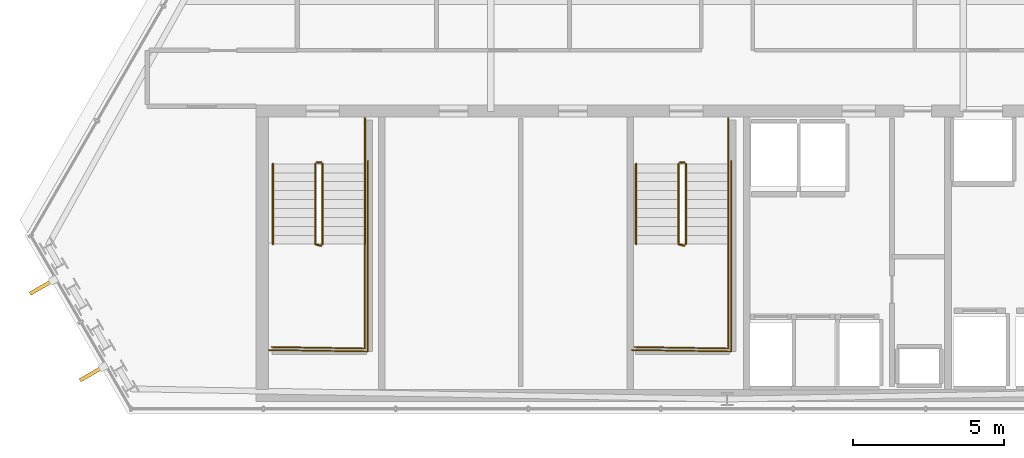
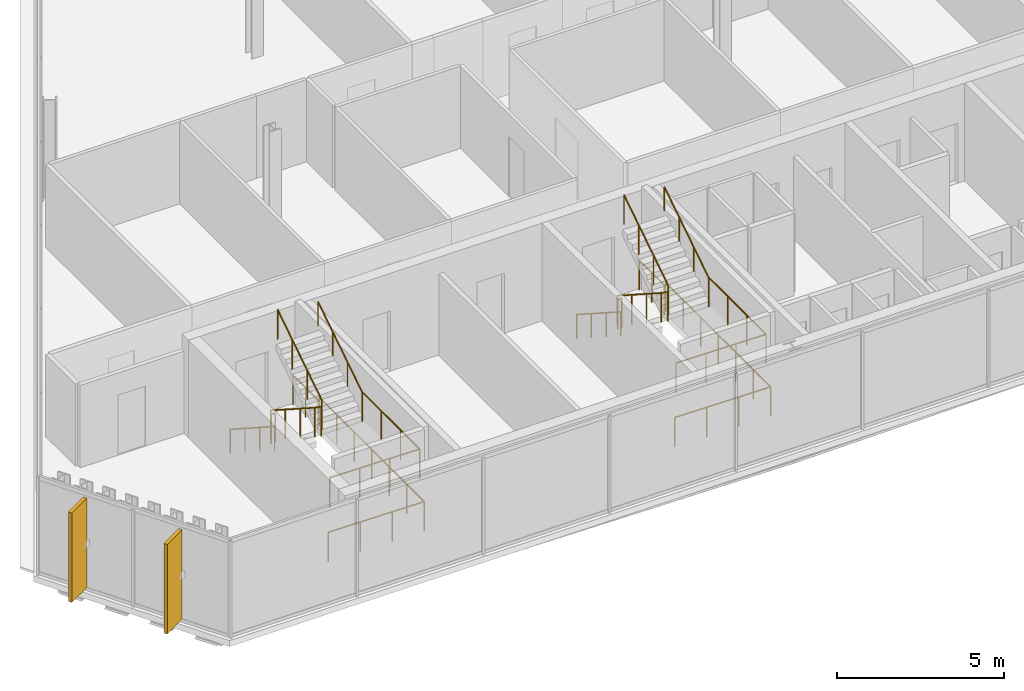
# One storey, part 27 of 29: 16 railings, 2 shading devices.
"""IFC4 building model written with IfcOpenShell, lengths in metres."""

import ifcopenshell
import ifcopenshell.guid

model = None  # the IFC model being written
_history = None  # IfcOwnerHistory: only IFC2X3 demands one
_inside = {}  # id of a spatial element -> (the spatial element, [elements in it])
_under = {}  # id of a project, library or spatial element -> (it, [spatial elements below it])
_declared = {}  # id of a project -> (the project, [libraries it declares])
_typed = {}  # id of a type object -> (the type object, [elements of that type])
_made_of = {}  # id of a material, layer set ... -> (it, [elements and type objects made of it])


def new_model(schema):
    """Start an empty IFC model of exactly this schema.

    Asked for "IFC4X3", IfcOpenShell would pick the latest addendum, in which some entities
    have other attributes; the version numbers below select the first issue.
    IFC2X3 requires an IfcOwnerHistory on every rooted entity: one is made here for all.
    """
    global model, _history
    if schema == "IFC4X3":
        model = ifcopenshell.file(schema_version=(4, 3, 0, 0))
    else:
        model = ifcopenshell.file(schema=schema)
    _inside.clear()
    _under.clear()
    _declared.clear()
    _typed.clear()
    _made_of.clear()
    _history = None
    if model.schema == "IFC2X3":
        org = make("IfcOrganization", Name="unknown")
        user = make(
            "IfcPersonAndOrganization",
            ThePerson=make("IfcPerson", FamilyName="unknown"),
            TheOrganization=org,
        )
        app = make(
            "IfcApplication",
            ApplicationDeveloper=org,
            Version="unknown",
            ApplicationFullName="unknown",
            ApplicationIdentifier="unknown",
        )
        _history = make(
            "IfcOwnerHistory",
            OwningUser=user,
            OwningApplication=app,
            ChangeAction="ADDED",
            CreationDate=0,
        )
    return model


def make(cls, **values):
    """One entity of the class cls with the attributes given. An attribute that is None is left unset."""
    return model.create_entity(
        cls, **{name: value for name, value in values.items() if value is not None}
    )


def rooted(cls, **values):
    """An entity with a GlobalId (a new one), such as an element, a storey or a relation."""
    return make(cls, GlobalId=ifcopenshell.guid.new(), OwnerHistory=_history, **values)


def si_unit(unit_type, name, prefix=None):
    """IfcSIUnit, for example si_unit("LENGTHUNIT", "METRE", prefix="MILLI")."""
    return make("IfcSIUnit", UnitType=unit_type, Prefix=prefix, Name=name)


def assignment(units):
    """IfcUnitAssignment: the units of a project."""
    return None if units is None else make("IfcUnitAssignment", Units=units)


def point(xyz):
    """IfcCartesianPoint."""
    return None if xyz is None else make("IfcCartesianPoint", Coordinates=xyz)


def direction(xyz):
    """IfcDirection."""
    return None if xyz is None else make("IfcDirection", DirectionRatios=xyz)


def frame(location, z_axis=None, x_axis=None):
    """IfcAxis2Placement3D, a coordinate frame: its origin and axes. An axis left out is left unset."""
    return make(
        "IfcAxis2Placement3D",
        Location=point(location),
        Axis=direction(z_axis),
        RefDirection=direction(x_axis),
    )


def frame_2d(location, x_axis=None):
    """IfcAxis2Placement2D, a coordinate frame in the plane: its origin and x axis."""
    return make(
        "IfcAxis2Placement2D", Location=point(location), RefDirection=direction(x_axis)
    )


def origin():
    """The frame at (0, 0, 0) with its axes left unset."""
    return frame((0.0, 0.0, 0.0))


def origin_2d():
    """The frame at (0, 0) in the plane with its x axis left unset."""
    return frame_2d((0.0, 0.0))


def place(relative_to, where):
    """IfcLocalPlacement: puts the frame where relative to a parent placement (None: the world)."""
    return make(
        "IfcLocalPlacement", PlacementRelTo=relative_to, RelativePlacement=where
    )


def context(
    kind, dimensions, precision=None, world=None, true_north=None, identifier=None
):
    """IfcGeometricRepresentationContext, for example the 3D "Model" context."""
    return make(
        "IfcGeometricRepresentationContext",
        ContextIdentifier=identifier,
        ContextType=kind,
        CoordinateSpaceDimension=dimensions,
        Precision=precision,
        WorldCoordinateSystem=world,
        TrueNorth=true_north,
    )


def subcontext(parent, identifier, kind, view, scale=None):
    """IfcGeometricRepresentationSubContext, for example "Body" below "Model"."""
    return make(
        "IfcGeometricRepresentationSubContext",
        ContextIdentifier=identifier,
        ContextType=kind,
        ParentContext=parent,
        TargetScale=scale,
        TargetView=view,
    )


def project(units=None, contexts=None):
    """IfcProject with its units and contexts."""
    return rooted(
        "IfcProject",
        Name="project",
        RepresentationContexts=contexts,
        UnitsInContext=assignment(units),
    )


def spatial(cls, under=None, at=None, **own):
    """A site, building, storey or space (cls), placed at a placement, below another one or the project."""
    s = rooted(cls, ObjectPlacement=at, **own)
    if under is not None:
        _under.setdefault(under.id(), (under, []))[1].append(s)
    return s


def profile(cls, at=None, kind="AREA", **sizes):
    """A parametric profile (cls). Its sizes go by their IFC names, for example OverallWidth=200.0."""
    return make(cls, ProfileType=kind, Position=at, **sizes)


def rectangle(**sizes):
    """IfcRectangleProfileDef."""
    return profile("IfcRectangleProfileDef", **sizes)


def circle(**sizes):
    """IfcCircleProfileDef."""
    return profile("IfcCircleProfileDef", **sizes)


def extrude(swept, where, along, depth):
    """IfcExtrudedAreaSolid: the profile swept, set in the frame where, extruded along a direction by depth."""
    return make(
        "IfcExtrudedAreaSolid",
        SweptArea=swept,
        Position=where,
        ExtrudedDirection=direction(along),
        Depth=depth,
    )


def shape(context_of_items, identifier, shape_type, items):
    """IfcShapeRepresentation: the items that make up one representation, for example the "Body"."""
    return make(
        "IfcShapeRepresentation",
        ContextOfItems=context_of_items,
        RepresentationIdentifier=identifier,
        RepresentationType=shape_type,
        Items=items,
    )


def material(Name=None, Category=None):
    """IfcMaterial."""
    return make("IfcMaterial", Name=Name, Category=Category)


def layer(
    of_material, thickness, ventilated=None, Name=None, Category=None, Priority=None
):
    """IfcMaterialLayer: one layer of a wall or slab, of a material (None: an air gap)."""
    return make(
        "IfcMaterialLayer",
        Material=of_material,
        LayerThickness=thickness,
        IsVentilated=ventilated,
        Name=Name,
        Category=Category,
        Priority=Priority,
    )


def layer_set(layers, Name=None):
    """IfcMaterialLayerSet."""
    return make("IfcMaterialLayerSet", MaterialLayers=layers, LayerSetName=Name)


def made_of(thing, what):
    """Note that an element or type object is made of a material, layer set ...; save() writes the relation."""
    if what is not None:
        _made_of.setdefault(what.id(), (what, []))[1].append(thing)
    return thing


def type_object(cls, material=None, **own):
    """A type object (cls), such as IfcWallType, which elements share."""
    return made_of(rooted(cls, **own), material)


def element(
    cls,
    number,
    at=None,
    inside=None,
    cuts=None,
    type_object=None,
    material=None,
    context=None,
    identifier="Body",
    shape_type=None,
    held_by="IfcProductDefinitionShape",
    body=None,
    shapes=None,
    **own,
):
    """One element of the class cls, such as IfcWall. Its Tag is "e" and its number.

    at: its placement. inside: the storey or other place that contains it. cuts: it is an
    opening in that element (IfcRelVoidsElement). A single representation is given by context,
    identifier, shape_type and body (its items); several are given by shapes. held_by: the class
    of the entity that holds the representations. save() writes the other relations.
    """
    e = rooted(cls, Tag="e%d" % number, ObjectPlacement=at, **own)
    if body is not None:
        shapes = [shape(context, identifier, shape_type, body)]
    if shapes is not None:
        e.Representation = make(held_by, Representations=shapes)
    if inside is not None:
        _inside.setdefault(inside.id(), (inside, []))[1].append(e)
    if cuts is not None:
        rooted(
            "IfcRelVoidsElement", RelatingBuildingElement=cuts, RelatedOpeningElement=e
        )
    if type_object is not None:
        _typed.setdefault(type_object.id(), (type_object, []))[1].append(e)
    return made_of(e, material)


def aggregate(whole, parts):
    """IfcRelAggregates: a whole, such as a stair, and the parts it consists of."""
    return rooted("IfcRelAggregates", RelatingObject=whole, RelatedObjects=parts)


def save(model, path):
    """Write the relations noted so far, then the file.

    IfcRelAggregates (storeys below a building ...), IfcRelContainedInSpatialStructure (elements
    in a storey), IfcRelDefinesByType, IfcRelAssociatesMaterial and IfcRelDeclares: one each for
    every whole, place, type object, material and project.
    """
    for whole, parts in _under.values():
        aggregate(whole, parts)
    for where, things in _inside.values():
        rooted(
            "IfcRelContainedInSpatialStructure",
            RelatedElements=things,
            RelatingStructure=where,
        )
    for kind, things in _typed.values():
        rooted("IfcRelDefinesByType", RelatedObjects=things, RelatingType=kind)
    for what, things in _made_of.values():
        rooted("IfcRelAssociatesMaterial", RelatedObjects=things, RelatingMaterial=what)
    for by, libraries in _declared.values():
        rooted("IfcRelDeclares", RelatingContext=by, RelatedDefinitions=libraries)
    model.write(path)


model = new_model("IFC4")

# Units and contexts
model_context = context("Model", 3, precision=1e-05, world=origin(), true_north=direction((0.0, 1.0)))
body_context = subcontext(model_context, "Body", "Model", "MODEL_VIEW")
ifc_project = project(units=[si_unit("LENGTHUNIT", "METRE"), si_unit("AREAUNIT", "SQUARE_METRE"), si_unit("VOLUMEUNIT", "CUBIC_METRE"), si_unit("PLANEANGLEUNIT", "RADIAN"), si_unit("MASSUNIT", "GRAM", prefix="KILO")], contexts=[model_context])

# Site, building, storey
site_placement = place(None, origin())
site = spatial("IfcSite", under=ifc_project, at=site_placement, CompositionType="ELEMENT")
building_placement = place(site_placement, origin())
building = spatial("IfcBuilding", under=site, at=building_placement, Name="Ndaravel Arena Tower", CompositionType="ELEMENT")
storey_placement = place(building_placement, frame((0.0, 0.0, 240.800048828125)))
storey = spatial("IfcBuildingStorey", under=building, at=storey_placement, Name="L58", CompositionType="ELEMENT", Elevation=240.800048828125)

# Railings
ifc_material_1 = material(Name="Steel S355", Category="steel")
ifc_layer_1 = layer(ifc_material_1, 0.06005859375)
ifc_layer_set_1 = layer_set([ifc_layer_1], Name="Steel S355")
railing_type_1 = type_object("IfcRailingType", Name="RAIL-STAIR-GD1100", PredefinedType="GUARDRAIL", material=ifc_layer_set_1)
railing_1_placement = place(storey_placement, frame((28.39990234375, 13.25, 0.18994140625)))
element("IfcRailing", 1, at=railing_1_placement, inside=storey, type_object=railing_type_1, Name="L58 ST-1 stair guard 1", PredefinedType="GUARDRAIL", context=body_context, shape_type="SweptSolid", body=[
    extrude(circle(Radius=0.02392578125, at=origin_2d()), frame((0.0, 0.0, 1.076171875), z_axis=(0.0, -0.840723540582, 0.54146461409), x_axis=(1.0, 0.0, 0.0)), (0.0, 0.0, 1.0), 3.157958984375),
    extrude(circle(Radius=0.02392578125, at=origin_2d()), frame((0.0, -2.655029296875, 2.7861328125), z_axis=(0.967074537263, -0.25449329928, 0.0), x_axis=(0.25449329928, 0.967074537263, 0.0)), (0.0, 0.0, 1.0), 0.19677734375),
    extrude(circle(Radius=0.02099609375, at=origin_2d()), origin(), (0.0, 0.0, 1.0), 1.052001953125),
    extrude(circle(Radius=0.02099609375, at=origin_2d()), frame((0.0, -0.885009765625, 0.570068359375)), (0.0, 0.0, 1.0), 1.052001953125),
    extrude(circle(Radius=0.02099609375, at=origin_2d()), frame((0.0, -1.77001953125, 1.139892578125)), (0.0, 0.0, 1.0), 1.052001953125),
    extrude(circle(Radius=0.02099609375, at=origin_2d()), frame((0.0, -2.655029296875, 1.7099609375)), (0.0, 0.0, 1.0), 1.052001953125),
    extrude(circle(Radius=0.02099609375, at=origin_2d()), frame((0.190185546875, -2.705078125, 1.7099609375)), (0.0, 0.0, 1.0), 1.052001953125),
])
railing_2_placement = place(storey_placement, frame((30.0400390625, 10.594970703125, 1.89990234375)))
element("IfcRailing", 2, at=railing_2_placement, inside=storey, type_object=railing_type_1, Name="L58 ST-1 stair guard 2", PredefinedType="GUARDRAIL", context=body_context, shape_type="SweptSolid", body=[
    extrude(circle(Radius=0.02392578125, at=origin_2d()), frame((0.0, 0.0, 1.076171875), z_axis=(0.0, -1.0, 0.0), x_axis=(1.0, 0.0, 0.0)), (0.0, 0.0, 1.0), 3.445068359375),
    extrude(circle(Radius=0.02392578125, at=origin_2d()), frame((0.0, -3.445068359375, 1.076171875), z_axis=(-0.999868861343, 0.016194447071, 0.0), x_axis=(-0.016194447071, -0.999868861343, 0.0)), (0.0, 0.0, 1.0), 3.090576171875),
    extrude(circle(Radius=0.02099609375, at=origin_2d()), origin(), (0.0, 0.0, 1.0), 1.052001953125),
    extrude(circle(Radius=0.02099609375, at=origin_2d()), frame((0.0, -1.1484375, 0.0)), (0.0, 0.0, 1.0), 1.052001953125),
    extrude(circle(Radius=0.02099609375, at=origin_2d()), frame((0.0, -2.296630859375, 0.0)), (0.0, 0.0, 1.0), 1.052001953125),
    extrude(circle(Radius=0.02099609375, at=origin_2d()), frame((0.0, -3.445068359375, 0.0)), (0.0, 0.0, 1.0), 1.052001953125),
    extrude(circle(Radius=0.02099609375, at=origin_2d()), frame((-1.030029296875, -3.428466796875, 0.0)), (0.0, 0.0, 1.0), 1.052001953125),
    extrude(circle(Radius=0.02099609375, at=origin_2d()), frame((-2.06005859375, -3.41162109375, 0.0)), (0.0, 0.0, 1.0), 1.052001953125),
    extrude(circle(Radius=0.02099609375, at=origin_2d()), frame((-3.090087890625, -3.39501953125, 0.0)), (0.0, 0.0, 1.0), 1.052001953125),
])
railing_3_placement = place(storey_placement, frame((28.639892578125, 10.594970703125, 2.08984375)))
element("IfcRailing", 3, at=railing_3_placement, inside=storey, type_object=railing_type_1, Name="L58 ST-1 stair guard 3", PredefinedType="GUARDRAIL", context=body_context, shape_type="SweptSolid", body=[
    extrude(circle(Radius=0.02392578125, at=origin_2d()), frame((0.0, 0.0, 1.076171875), z_axis=(0.0, 0.840688348013, 0.541519253134), x_axis=(-1.0, 0.0, 0.0)), (0.0, 0.0, 1.0), 3.158203125),
    extrude(circle(Radius=0.02099609375, at=origin_2d()), origin(), (0.0, 0.0, 1.0), 1.052001953125),
    extrude(circle(Radius=0.02099609375, at=origin_2d()), frame((0.0, 0.885009765625, 0.570068359375)), (0.0, 0.0, 1.0), 1.052001953125),
    extrude(circle(Radius=0.02099609375, at=origin_2d()), frame((0.0, 1.77001953125, 1.14013671875)), (0.0, 0.0, 1.0), 1.052001953125),
    extrude(circle(Radius=0.02099609375, at=origin_2d()), frame((0.0, 2.655029296875, 1.710205078125)), (0.0, 0.0, 1.0), 1.052001953125),
])
railing_4_placement = place(storey_placement, frame((28.449951171875, 13.300048828125, 0.0)))
element("IfcRailing", 4, at=railing_4_placement, inside=storey, type_object=railing_type_1, Name="L58 ST-1 stair guard 4", PredefinedType="GUARDRAIL", context=body_context, shape_type="SweptSolid", body=[
    extrude(circle(Radius=0.02392578125, at=origin_2d()), frame((0.0, 0.0, 1.076171875), z_axis=(1.0, 0.0, 0.0), x_axis=(0.0, 1.0, 0.0)), (0.0, 0.0, 1.0), 0.14013671875),
    extrude(circle(Radius=0.02099609375, at=origin_2d()), origin(), (0.0, 0.0, 1.0), 1.052001953125),
    extrude(circle(Radius=0.02099609375, at=origin_2d()), frame((0.14013671875, 0.0, 0.0)), (0.0, 0.0, 1.0), 1.052001953125),
])
railing_5_placement = place(storey_placement, frame((30.0400390625, 14.75, 0.0)))
element("IfcRailing", 5, at=railing_5_placement, inside=storey, type_object=railing_type_1, Name="L58 ST-1 stair guard 5", PredefinedType="GUARDRAIL", context=body_context, shape_type="SweptSolid", body=[
    extrude(circle(Radius=0.02392578125, at=origin_2d()), frame((0.0, 0.0, 1.076171875), z_axis=(0.0, -1.0, 0.0), x_axis=(1.0, 0.0, 0.0)), (0.0, 0.0, 1.0), 1.5),
    extrude(circle(Radius=0.02099609375, at=origin_2d()), origin(), (0.0, 0.0, 1.0), 1.052001953125),
    extrude(circle(Radius=0.02099609375, at=origin_2d()), frame((0.0, -0.75, 0.0)), (0.0, 0.0, 1.0), 1.052001953125),
    extrude(circle(Radius=0.02099609375, at=origin_2d()), frame((0.0, -1.5, 0.0)), (0.0, 0.0, 1.0), 1.052001953125),
])
railing_6_placement = place(storey_placement, frame((30.139892578125, 13.35009765625, 0.0)))
element("IfcRailing", 6, at=railing_6_placement, inside=storey, type_object=railing_type_1, Name="L58 ST-1 stair guard 6", PredefinedType="GUARDRAIL", context=body_context, shape_type="SweptSolid", body=[
    extrude(circle(Radius=0.02392578125, at=origin_2d()), frame((0.0, 0.0, 1.076171875), z_axis=(0.0, -1.0, 0.0), x_axis=(1.0, 0.0, 0.0)), (0.0, 0.0, 1.0), 6.300048828125),
    extrude(circle(Radius=0.02392578125, at=origin_2d()), frame((0.0, -6.300048828125, 1.076171875), z_axis=(-0.999884296952, 0.015211597839, 0.0), x_axis=(-0.015211597839, -0.999884296952, 0.0)), (0.0, 0.0, 1.0), 3.290283203125),
    extrude(circle(Radius=0.02099609375, at=origin_2d()), origin(), (0.0, 0.0, 1.0), 1.052001953125),
    extrude(circle(Radius=0.02099609375, at=origin_2d()), frame((0.0, -1.050048828125, 0.0)), (0.0, 0.0, 1.0), 1.052001953125),
    extrude(circle(Radius=0.02099609375, at=origin_2d()), frame((0.0, -2.10009765625, 0.0)), (0.0, 0.0, 1.0), 1.052001953125),
    extrude(circle(Radius=0.02099609375, at=origin_2d()), frame((0.0, -3.14990234375, 0.0)), (0.0, 0.0, 1.0), 1.052001953125),
    extrude(circle(Radius=0.02099609375, at=origin_2d()), frame((0.0, -4.199951171875, 0.0)), (0.0, 0.0, 1.0), 1.052001953125),
    extrude(circle(Radius=0.02099609375, at=origin_2d()), frame((0.0, -5.25, 0.0)), (0.0, 0.0, 1.0), 1.052001953125),
    extrude(circle(Radius=0.02099609375, at=origin_2d()), frame((0.0, -6.300048828125, 0.0)), (0.0, 0.0, 1.0), 1.052001953125),
    extrude(circle(Radius=0.02099609375, at=origin_2d()), frame((-1.0966796875, -6.283447265625, 0.0)), (0.0, 0.0, 1.0), 1.052001953125),
    extrude(circle(Radius=0.02099609375, at=origin_2d()), frame((-2.193115234375, -6.2666015625, 0.0)), (0.0, 0.0, 1.0), 1.052001953125),
    extrude(circle(Radius=0.02099609375, at=origin_2d()), frame((-3.289794921875, -6.25, 0.0)), (0.0, 0.0, 1.0), 1.052001953125),
])
railing_7_placement = place(storey_placement, frame((40.39990234375, 13.25, 0.18994140625)))
element("IfcRailing", 7, at=railing_7_placement, inside=storey, type_object=railing_type_1, Name="L58 ST-2 stair guard 1", PredefinedType="GUARDRAIL", context=body_context, shape_type="SweptSolid", body=[
    extrude(circle(Radius=0.02392578125, at=origin_2d()), frame((0.0, 0.0, 1.076171875), z_axis=(0.0, -0.840723540582, 0.54146461409), x_axis=(1.0, 0.0, 0.0)), (0.0, 0.0, 1.0), 3.157958984375),
    extrude(circle(Radius=0.02392578125, at=origin_2d()), frame((0.0, -2.655029296875, 2.7861328125), z_axis=(0.967074537263, -0.25449329928, 0.0), x_axis=(0.25449329928, 0.967074537263, 0.0)), (0.0, 0.0, 1.0), 0.19677734375),
    extrude(circle(Radius=0.02099609375, at=origin_2d()), origin(), (0.0, 0.0, 1.0), 1.052001953125),
    extrude(circle(Radius=0.02099609375, at=origin_2d()), frame((0.0, -0.885009765625, 0.570068359375)), (0.0, 0.0, 1.0), 1.052001953125),
    extrude(circle(Radius=0.02099609375, at=origin_2d()), frame((0.0, -1.77001953125, 1.139892578125)), (0.0, 0.0, 1.0), 1.052001953125),
    extrude(circle(Radius=0.02099609375, at=origin_2d()), frame((0.0, -2.655029296875, 1.7099609375)), (0.0, 0.0, 1.0), 1.052001953125),
    extrude(circle(Radius=0.02099609375, at=origin_2d()), frame((0.190185546875, -2.705078125, 1.7099609375)), (0.0, 0.0, 1.0), 1.052001953125),
])
railing_8_placement = place(storey_placement, frame((42.0400390625, 10.594970703125, 1.89990234375)))
element("IfcRailing", 8, at=railing_8_placement, inside=storey, type_object=railing_type_1, Name="L58 ST-2 stair guard 2", PredefinedType="GUARDRAIL", context=body_context, shape_type="SweptSolid", body=[
    extrude(circle(Radius=0.02392578125, at=origin_2d()), frame((0.0, 0.0, 1.076171875), z_axis=(0.0, -1.0, 0.0), x_axis=(1.0, 0.0, 0.0)), (0.0, 0.0, 1.0), 3.445068359375),
    extrude(circle(Radius=0.02392578125, at=origin_2d()), frame((0.0, -3.445068359375, 1.076171875), z_axis=(-0.999868861343, 0.016194447071, 0.0), x_axis=(-0.016194447071, -0.999868861343, 0.0)), (0.0, 0.0, 1.0), 3.090576171875),
    extrude(circle(Radius=0.02099609375, at=origin_2d()), origin(), (0.0, 0.0, 1.0), 1.052001953125),
    extrude(circle(Radius=0.02099609375, at=origin_2d()), frame((0.0, -1.1484375, 0.0)), (0.0, 0.0, 1.0), 1.052001953125),
    extrude(circle(Radius=0.02099609375, at=origin_2d()), frame((0.0, -2.296630859375, 0.0)), (0.0, 0.0, 1.0), 1.052001953125),
    extrude(circle(Radius=0.02099609375, at=origin_2d()), frame((0.0, -3.445068359375, 0.0)), (0.0, 0.0, 1.0), 1.052001953125),
    extrude(circle(Radius=0.02099609375, at=origin_2d()), frame((-1.030029296875, -3.428466796875, 0.0)), (0.0, 0.0, 1.0), 1.052001953125),
    extrude(circle(Radius=0.02099609375, at=origin_2d()), frame((-2.06005859375, -3.41162109375, 0.0)), (0.0, 0.0, 1.0), 1.052001953125),
    extrude(circle(Radius=0.02099609375, at=origin_2d()), frame((-3.090087890625, -3.39501953125, 0.0)), (0.0, 0.0, 1.0), 1.052001953125),
])
railing_9_placement = place(storey_placement, frame((40.639892578125, 10.594970703125, 2.08984375)))
element("IfcRailing", 9, at=railing_9_placement, inside=storey, type_object=railing_type_1, Name="L58 ST-2 stair guard 3", PredefinedType="GUARDRAIL", context=body_context, shape_type="SweptSolid", body=[
    extrude(circle(Radius=0.02392578125, at=origin_2d()), frame((0.0, 0.0, 1.076171875), z_axis=(0.0, 0.840688348013, 0.541519253134), x_axis=(-1.0, 0.0, 0.0)), (0.0, 0.0, 1.0), 3.158203125),
    extrude(circle(Radius=0.02099609375, at=origin_2d()), origin(), (0.0, 0.0, 1.0), 1.052001953125),
    extrude(circle(Radius=0.02099609375, at=origin_2d()), frame((0.0, 0.885009765625, 0.570068359375)), (0.0, 0.0, 1.0), 1.052001953125),
    extrude(circle(Radius=0.02099609375, at=origin_2d()), frame((0.0, 1.77001953125, 1.14013671875)), (0.0, 0.0, 1.0), 1.052001953125),
    extrude(circle(Radius=0.02099609375, at=origin_2d()), frame((0.0, 2.655029296875, 1.710205078125)), (0.0, 0.0, 1.0), 1.052001953125),
])
railing_10_placement = place(storey_placement, frame((40.449951171875, 13.300048828125, 0.0)))
element("IfcRailing", 10, at=railing_10_placement, inside=storey, type_object=railing_type_1, Name="L58 ST-2 stair guard 4", PredefinedType="GUARDRAIL", context=body_context, shape_type="SweptSolid", body=[
    extrude(circle(Radius=0.02392578125, at=origin_2d()), frame((0.0, 0.0, 1.076171875), z_axis=(1.0, 0.0, 0.0), x_axis=(0.0, 1.0, 0.0)), (0.0, 0.0, 1.0), 0.14013671875),
    extrude(circle(Radius=0.02099609375, at=origin_2d()), origin(), (0.0, 0.0, 1.0), 1.052001953125),
    extrude(circle(Radius=0.02099609375, at=origin_2d()), frame((0.14013671875, 0.0, 0.0)), (0.0, 0.0, 1.0), 1.052001953125),
])
railing_11_placement = place(storey_placement, frame((42.0400390625, 14.75, 0.0)))
element("IfcRailing", 11, at=railing_11_placement, inside=storey, type_object=railing_type_1, Name="L58 ST-2 stair guard 5", PredefinedType="GUARDRAIL", context=body_context, shape_type="SweptSolid", body=[
    extrude(circle(Radius=0.02392578125, at=origin_2d()), frame((0.0, 0.0, 1.076171875), z_axis=(0.0, -1.0, 0.0), x_axis=(1.0, 0.0, 0.0)), (0.0, 0.0, 1.0), 1.5),
    extrude(circle(Radius=0.02099609375, at=origin_2d()), origin(), (0.0, 0.0, 1.0), 1.052001953125),
    extrude(circle(Radius=0.02099609375, at=origin_2d()), frame((0.0, -0.75, 0.0)), (0.0, 0.0, 1.0), 1.052001953125),
    extrude(circle(Radius=0.02099609375, at=origin_2d()), frame((0.0, -1.5, 0.0)), (0.0, 0.0, 1.0), 1.052001953125),
])
railing_12_placement = place(storey_placement, frame((42.139892578125, 13.35009765625, 0.0)))
element("IfcRailing", 12, at=railing_12_placement, inside=storey, type_object=railing_type_1, Name="L58 ST-2 stair guard 6", PredefinedType="GUARDRAIL", context=body_context, shape_type="SweptSolid", body=[
    extrude(circle(Radius=0.02392578125, at=origin_2d()), frame((0.0, 0.0, 1.076171875), z_axis=(0.0, -1.0, 0.0), x_axis=(1.0, 0.0, 0.0)), (0.0, 0.0, 1.0), 6.300048828125),
    extrude(circle(Radius=0.02392578125, at=origin_2d()), frame((0.0, -6.300048828125, 1.076171875), z_axis=(-0.999884296952, 0.015211597839, 0.0), x_axis=(-0.015211597839, -0.999884296952, 0.0)), (0.0, 0.0, 1.0), 3.290283203125),
    extrude(circle(Radius=0.02099609375, at=origin_2d()), origin(), (0.0, 0.0, 1.0), 1.052001953125),
    extrude(circle(Radius=0.02099609375, at=origin_2d()), frame((0.0, -1.050048828125, 0.0)), (0.0, 0.0, 1.0), 1.052001953125),
    extrude(circle(Radius=0.02099609375, at=origin_2d()), frame((0.0, -2.10009765625, 0.0)), (0.0, 0.0, 1.0), 1.052001953125),
    extrude(circle(Radius=0.02099609375, at=origin_2d()), frame((0.0, -3.14990234375, 0.0)), (0.0, 0.0, 1.0), 1.052001953125),
    extrude(circle(Radius=0.02099609375, at=origin_2d()), frame((0.0, -4.199951171875, 0.0)), (0.0, 0.0, 1.0), 1.052001953125),
    extrude(circle(Radius=0.02099609375, at=origin_2d()), frame((0.0, -5.25, 0.0)), (0.0, 0.0, 1.0), 1.052001953125),
    extrude(circle(Radius=0.02099609375, at=origin_2d()), frame((0.0, -6.300048828125, 0.0)), (0.0, 0.0, 1.0), 1.052001953125),
    extrude(circle(Radius=0.02099609375, at=origin_2d()), frame((-1.0966796875, -6.283447265625, 0.0)), (0.0, 0.0, 1.0), 1.052001953125),
    extrude(circle(Radius=0.02099609375, at=origin_2d()), frame((-2.193115234375, -6.2666015625, 0.0)), (0.0, 0.0, 1.0), 1.052001953125),
    extrude(circle(Radius=0.02099609375, at=origin_2d()), frame((-3.289794921875, -6.25, 0.0)), (0.0, 0.0, 1.0), 1.052001953125),
])
ifc_material_2 = material(Name="Steel S355", Category="steel")
ifc_layer_2 = layer(ifc_material_2, 0.050048828125)
ifc_layer_set_2 = layer_set([ifc_layer_2], Name="Steel S355")
railing_type_2 = type_object("IfcRailingType", Name="RAIL-STAIR-HR920", PredefinedType="HANDRAIL", material=ifc_layer_set_2)
railing_13_placement = place(storey_placement, frame((27.0, 13.25, 0.18994140625)))
element("IfcRailing", 13, at=railing_13_placement, inside=storey, type_object=railing_type_2, Name="L58 ST-1 stair handrail 1", PredefinedType="HANDRAIL", context=body_context, shape_type="SweptSolid", body=[
    extrude(circle(Radius=0.02392578125, at=origin_2d()), frame((0.0, 0.0, 0.8759765625), z_axis=(0.0, -0.840723540582, 0.54146461409), x_axis=(1.0, 0.0, 0.0)), (0.0, 0.0, 1.0), 3.157958984375),
    extrude(circle(Radius=0.02099609375, at=origin_2d()), origin(), (0.0, 0.0, 1.0), 0.851806640625),
    extrude(circle(Radius=0.02099609375, at=origin_2d()), frame((0.0, -0.885009765625, 0.570068359375)), (0.0, 0.0, 1.0), 0.851806640625),
    extrude(circle(Radius=0.02099609375, at=origin_2d()), frame((0.0, -1.77001953125, 1.139892578125)), (0.0, 0.0, 1.0), 0.851806640625),
    extrude(circle(Radius=0.02099609375, at=origin_2d()), frame((0.0, -2.655029296875, 1.7099609375)), (0.0, 0.0, 1.0), 0.851806640625),
])
railing_14_placement = place(storey_placement, frame((30.0400390625, 10.594970703125, 2.08984375)))
element("IfcRailing", 14, at=railing_14_placement, inside=storey, type_object=railing_type_2, Name="L58 ST-1 stair handrail 2", PredefinedType="HANDRAIL", context=body_context, shape_type="SweptSolid", body=[
    extrude(circle(Radius=0.02392578125, at=origin_2d()), frame((0.0, 0.0, 0.8759765625), z_axis=(0.0, 0.840688348013, 0.541519253134), x_axis=(-1.0, 0.0, 0.0)), (0.0, 0.0, 1.0), 3.158203125),
    extrude(circle(Radius=0.02099609375, at=origin_2d()), origin(), (0.0, 0.0, 1.0), 0.851806640625),
    extrude(circle(Radius=0.02099609375, at=origin_2d()), frame((0.0, 0.885009765625, 0.570068359375)), (0.0, 0.0, 1.0), 0.851806640625),
    extrude(circle(Radius=0.02099609375, at=origin_2d()), frame((0.0, 1.77001953125, 1.14013671875)), (0.0, 0.0, 1.0), 0.851806640625),
    extrude(circle(Radius=0.02099609375, at=origin_2d()), frame((0.0, 2.655029296875, 1.710205078125)), (0.0, 0.0, 1.0), 0.851806640625),
])
railing_15_placement = place(storey_placement, frame((39.0, 13.25, 0.18994140625)))
element("IfcRailing", 15, at=railing_15_placement, inside=storey, type_object=railing_type_2, Name="L58 ST-2 stair handrail 1", PredefinedType="HANDRAIL", context=body_context, shape_type="SweptSolid", body=[
    extrude(circle(Radius=0.02392578125, at=origin_2d()), frame((0.0, 0.0, 0.8759765625), z_axis=(0.0, -0.840723540582, 0.54146461409), x_axis=(1.0, 0.0, 0.0)), (0.0, 0.0, 1.0), 3.157958984375),
    extrude(circle(Radius=0.02099609375, at=origin_2d()), origin(), (0.0, 0.0, 1.0), 0.851806640625),
    extrude(circle(Radius=0.02099609375, at=origin_2d()), frame((0.0, -0.885009765625, 0.570068359375)), (0.0, 0.0, 1.0), 0.851806640625),
    extrude(circle(Radius=0.02099609375, at=origin_2d()), frame((0.0, -1.77001953125, 1.139892578125)), (0.0, 0.0, 1.0), 0.851806640625),
    extrude(circle(Radius=0.02099609375, at=origin_2d()), frame((0.0, -2.655029296875, 1.7099609375)), (0.0, 0.0, 1.0), 0.851806640625),
])
railing_16_placement = place(storey_placement, frame((42.0400390625, 10.594970703125, 2.08984375)))
element("IfcRailing", 16, at=railing_16_placement, inside=storey, type_object=railing_type_2, Name="L58 ST-2 stair handrail 2", PredefinedType="HANDRAIL", context=body_context, shape_type="SweptSolid", body=[
    extrude(circle(Radius=0.02392578125, at=origin_2d()), frame((0.0, 0.0, 0.8759765625), z_axis=(0.0, 0.840688348013, 0.541519253134), x_axis=(-1.0, 0.0, 0.0)), (0.0, 0.0, 1.0), 3.158203125),
    extrude(circle(Radius=0.02099609375, at=origin_2d()), origin(), (0.0, 0.0, 1.0), 0.851806640625),
    extrude(circle(Radius=0.02099609375, at=origin_2d()), frame((0.0, 0.885009765625, 0.570068359375)), (0.0, 0.0, 1.0), 0.851806640625),
    extrude(circle(Radius=0.02099609375, at=origin_2d()), frame((0.0, 1.77001953125, 1.14013671875)), (0.0, 0.0, 1.0), 0.851806640625),
    extrude(circle(Radius=0.02099609375, at=origin_2d()), frame((0.0, 2.655029296875, 1.710205078125)), (0.0, 0.0, 1.0), 0.851806640625),
])

# Shading devices
ifc_material_3 = material(Name="Masonry", Category="masonry")
shading_device_type = type_object("IfcShadingDeviceType", Name="SHD-MAZERAS-FIN", PredefinedType="SHUTTER", material=ifc_material_3)
for number, where, z_axis, x_axis, name in (
    (17, (19.367919921875, 9.1845703125, 0.14990234375), (0.0, 0.0, 1.0), (-0.866025403784, -0.5, 0.0), "L58 Mazeras Stone Solar Fin E6.1"),
    (18, (21.01953125, 6.323486328125, 0.14990234375), (0.0, 0.0, 1.0), (-0.866025403784, -0.5, 0.0), "L58 Mazeras Stone Solar Fin E6.2"),
):
    element("IfcShadingDevice", number, at=place(storey_placement, frame(where, z_axis=z_axis, x_axis=x_axis)), inside=storey, type_object=shading_device_type, Name=name, PredefinedType="SHUTTER", context=body_context, shape_type="SweptSolid", body=[
        extrude(rectangle(XDim=0.89990234375, YDim=0.1201171875, at=origin_2d()), origin(), (0.0, 0.0, 1.0), 3.280029296875),
    ])

save(model, "model.ifc")
